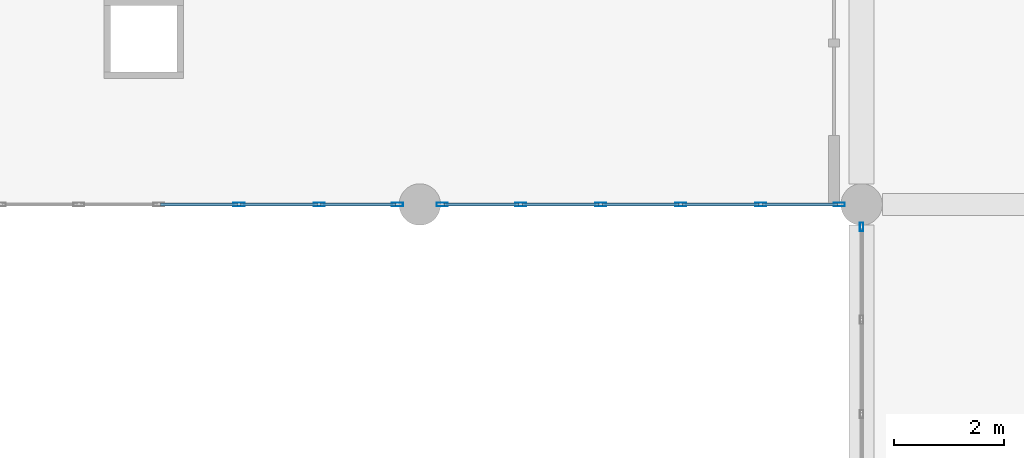
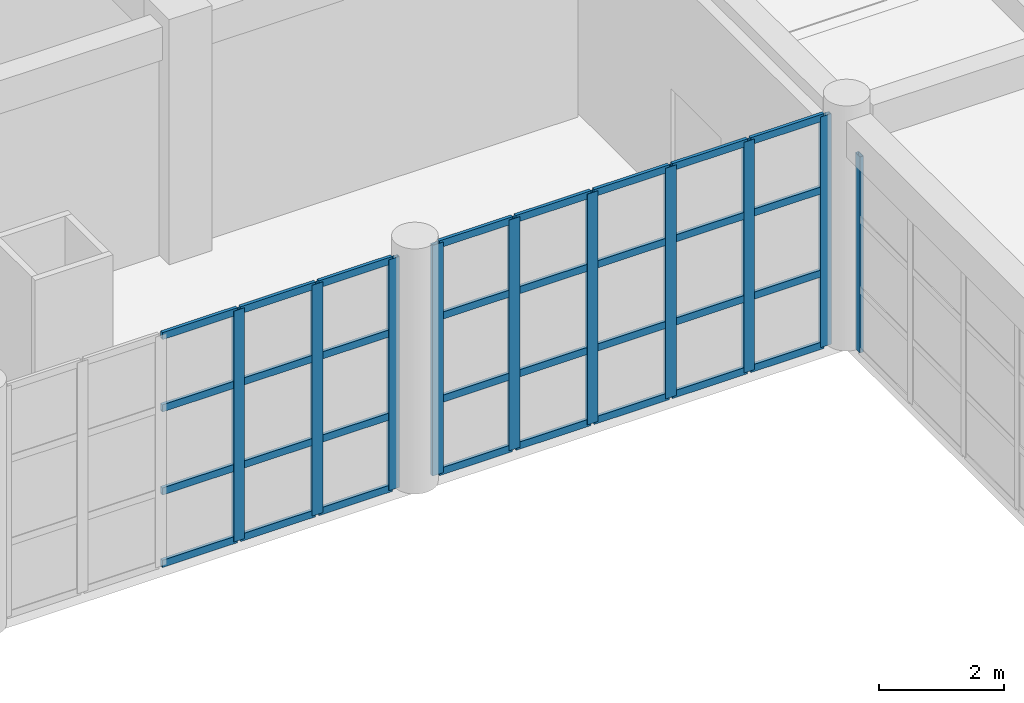
# One storey, part 36 of 101: 42 members, 3 elements without a shape of their own.
"""IFC4 building model written with IfcOpenShell, lengths in metres."""

from ifc_helpers import new_model, si_unit, direction, frame, origin, origin_2d, place, context, subcontext, project, spatial, hollow_rectangle, extrude, material, material_profile, profile_set, type_object, element, aggregate, save


model = new_model("IFC4")

# Units and contexts
model_context = context("Model", 3, precision=1e-05, world=origin(), true_north=direction((0.0, 1.0)))
body_context = subcontext(model_context, "Body", "Model", "MODEL_VIEW")
ifc_project = project(units=[si_unit("LENGTHUNIT", "METRE"), si_unit("AREAUNIT", "SQUARE_METRE"), si_unit("VOLUMEUNIT", "CUBIC_METRE"), si_unit("PLANEANGLEUNIT", "RADIAN"), si_unit("MASSUNIT", "GRAM", prefix="KILO")], contexts=[model_context])

# Site, building, storey
site_placement = place(None, origin())
site = spatial("IfcSite", under=ifc_project, at=site_placement, CompositionType="ELEMENT")
building_placement = place(site_placement, origin())
building = spatial("IfcBuilding", under=site, at=building_placement, Name="Zantavel Square City Hall", CompositionType="ELEMENT")
storey_placement = place(building_placement, frame((0.0, 0.0, 5.39990234375)))
storey = spatial("IfcBuildingStorey", under=building, at=storey_placement, Name="L02", CompositionType="ELEMENT", Elevation=5.39990234375)

# Curtain wall, members
ifc_material = material(Name="Anodised aluminium 6063-T6", Category="aluminium")
curtain_wall_type_1 = type_object("IfcCurtainWallType", Name="Curtain Wall CRT 7250x4520", PredefinedType="USERDEFINED", material=ifc_material)
curtain_wall_1_placement = place(storey_placement, origin())
curtain_wall_1 = element("IfcCurtainWall", 1, at=curtain_wall_1_placement, inside=storey, type_object=curtain_wall_type_1, Name="L02 Glazed Curtain Wall CW-L02-081", ObjectType="GLAZED CURTAIN WALL", PredefinedType="USERDEFINED")
ifc_material_profile_1 = material_profile(ifc_material, hollow_rectangle(XDim=0.070068359375, YDim=0.199951171875, WallThickness=0.00439453125, at=origin_2d()), Name="ALU 70x200x4.5")
ifc_profile_set_1 = profile_set([ifc_material_profile_1], Name="Anodised aluminium 6063-T6")
member_type_1 = type_object("IfcMemberType", Name="CW Heavy Hall Mullion ALU 70x200x4.5", PredefinedType="MULLION", material=ifc_profile_set_1)
member_1_placement = place(storey_placement, frame((47.594970703125, 68.39990234375, 0.0), z_axis=(0.0, 0.0, 1.0), x_axis=(0.0, -1.0, 0.0)))
member_1 = element("IfcMember", 2, at=member_1_placement, type_object=member_type_1, Name="CW-081 mullion 1", PredefinedType="MULLION", context=body_context, shape_type="SweptSolid", body=[
    extrude(hollow_rectangle(XDim=0.070068359375, YDim=0.199951171875, WallThickness=0.00439453125, at=origin_2d()), origin(), (0.0, 0.0, 1.0), 4.52001953125),
])
member_2_placement = place(storey_placement, frame((46.175048828125, 68.39990234375, 0.0), z_axis=(0.0, 0.0, 1.0), x_axis=(0.0, -1.0, 0.0)))
member_2 = element("IfcMember", 3, at=member_2_placement, type_object=member_type_1, Name="CW-081 mullion 2", PredefinedType="MULLION", context=body_context, shape_type="SweptSolid", body=[
    extrude(hollow_rectangle(XDim=0.070068359375, YDim=0.199951171875, WallThickness=0.00439453125, at=origin_2d()), origin(), (0.0, 0.0, 1.0), 4.52001953125),
])
member_3_placement = place(storey_placement, frame((44.72509765625, 68.39990234375, 0.0), z_axis=(0.0, 0.0, 1.0), x_axis=(0.0, -1.0, 0.0)))
member_3 = element("IfcMember", 4, at=member_3_placement, type_object=member_type_1, Name="CW-081 mullion 3", PredefinedType="MULLION", context=body_context, shape_type="SweptSolid", body=[
    extrude(hollow_rectangle(XDim=0.070068359375, YDim=0.199951171875, WallThickness=0.00439453125, at=origin_2d()), origin(), (0.0, 0.0, 1.0), 4.52001953125),
])
member_4_placement = place(storey_placement, frame((43.27490234375, 68.39990234375, 0.0), z_axis=(0.0, 0.0, 1.0), x_axis=(0.0, -1.0, 0.0)))
member_4 = element("IfcMember", 5, at=member_4_placement, type_object=member_type_1, Name="CW-081 mullion 4", PredefinedType="MULLION", context=body_context, shape_type="SweptSolid", body=[
    extrude(hollow_rectangle(XDim=0.070068359375, YDim=0.199951171875, WallThickness=0.00439453125, at=origin_2d()), origin(), (0.0, 0.0, 1.0), 4.52001953125),
])
member_5_placement = place(storey_placement, frame((41.824951171875, 68.39990234375, 0.0), z_axis=(0.0, 0.0, 1.0), x_axis=(0.0, -1.0, 0.0)))
member_5 = element("IfcMember", 6, at=member_5_placement, type_object=member_type_1, Name="CW-081 mullion 5", PredefinedType="MULLION", context=body_context, shape_type="SweptSolid", body=[
    extrude(hollow_rectangle(XDim=0.070068359375, YDim=0.199951171875, WallThickness=0.00439453125, at=origin_2d()), origin(), (0.0, 0.0, 1.0), 4.52001953125),
])
member_6_placement = place(storey_placement, frame((40.405029296875, 68.39990234375, 0.0), z_axis=(0.0, 0.0, 1.0), x_axis=(0.0, -1.0, 0.0)))
member_6 = element("IfcMember", 7, at=member_6_placement, type_object=member_type_1, Name="CW-081 mullion 6", PredefinedType="MULLION", context=body_context, shape_type="SweptSolid", body=[
    extrude(hollow_rectangle(XDim=0.070068359375, YDim=0.199951171875, WallThickness=0.00439453125, at=origin_2d()), origin(), (0.0, 0.0, 1.0), 4.52001953125),
])

curtain_wall_2_placement = place(storey_placement, origin())
curtain_wall_2 = element("IfcCurtainWall", 8, at=curtain_wall_2_placement, inside=storey, type_object=curtain_wall_type_1, Name="L02 Glazed Curtain Wall CW-L02-082", ObjectType="GLAZED CURTAIN WALL", PredefinedType="USERDEFINED")
member_7_placement = place(storey_placement, frame((39.594970703125, 68.39990234375, 0.0), z_axis=(0.0, 0.0, 1.0), x_axis=(0.0, -1.0, 0.0)))
member_7 = element("IfcMember", 9, at=member_7_placement, type_object=member_type_1, Name="CW-082 mullion 1", PredefinedType="MULLION", context=body_context, shape_type="SweptSolid", body=[
    extrude(hollow_rectangle(XDim=0.070068359375, YDim=0.199951171875, WallThickness=0.00439453125, at=origin_2d()), origin(), (0.0, 0.0, 1.0), 4.52001953125),
])
member_8_placement = place(storey_placement, frame((38.175048828125, 68.39990234375, 0.0), z_axis=(0.0, 0.0, 1.0), x_axis=(0.0, -1.0, 0.0)))
member_8 = element("IfcMember", 10, at=member_8_placement, type_object=member_type_1, Name="CW-082 mullion 2", PredefinedType="MULLION", context=body_context, shape_type="SweptSolid", body=[
    extrude(hollow_rectangle(XDim=0.070068359375, YDim=0.199951171875, WallThickness=0.00439453125, at=origin_2d()), origin(), (0.0, 0.0, 1.0), 4.52001953125),
])
member_9_placement = place(storey_placement, frame((36.72509765625, 68.39990234375, 0.0), z_axis=(0.0, 0.0, 1.0), x_axis=(0.0, -1.0, 0.0)))
member_9 = element("IfcMember", 11, at=member_9_placement, type_object=member_type_1, Name="CW-082 mullion 3", PredefinedType="MULLION", context=body_context, shape_type="SweptSolid", body=[
    extrude(hollow_rectangle(XDim=0.070068359375, YDim=0.199951171875, WallThickness=0.00439453125, at=origin_2d()), origin(), (0.0, 0.0, 1.0), 4.52001953125),
])

# Curtain wall, member
curtain_wall_type_2 = type_object("IfcCurtainWallType", Name="Curtain Wall CRT 6850x3840", PredefinedType="USERDEFINED", material=ifc_material)
curtain_wall_3_placement = place(storey_placement, origin())
curtain_wall_3 = element("IfcCurtainWall", 12, at=curtain_wall_3_placement, inside=storey, type_object=curtain_wall_type_2, Name="L02 Glazed Curtain Wall CW-L02-080", ObjectType="GLAZED CURTAIN WALL", PredefinedType="USERDEFINED")
ifc_material_profile_2 = material_profile(ifc_material, hollow_rectangle(XDim=0.06494140625, YDim=0.14990234375, WallThickness=0.00390625, at=origin_2d()), Name="ALU 65x150x4")
ifc_profile_set_2 = profile_set([ifc_material_profile_2], Name="Anodised aluminium 6063-T6")
member_type_2 = type_object("IfcMemberType", Name="CW Mullion ALU 65x150x4", PredefinedType="MULLION", material=ifc_profile_set_2)
member_10_placement = place(storey_placement, frame((48.0, 67.9951171875, 0.0), z_axis=(0.0, 0.0, 1.0), x_axis=(-1.0, 0.0, 0.0)))
member_10 = element("IfcMember", 13, at=member_10_placement, type_object=member_type_2, Name="CW-080 mullion 5", PredefinedType="MULLION", context=body_context, shape_type="SweptSolid", body=[
    extrude(hollow_rectangle(XDim=0.06494140625, YDim=0.14990234375, WallThickness=0.00390625, at=origin_2d()), origin(), (0.0, 0.0, 1.0), 3.840087890625),
])
aggregate(curtain_wall_3, [member_10])

# Member
ifc_material_profile_3 = material_profile(ifc_material, hollow_rectangle(XDim=0.06005859375, YDim=0.139892578125, WallThickness=0.00390625, at=origin_2d()), Name="ALU 60x140x4")
ifc_profile_set_3 = profile_set([ifc_material_profile_3], Name="Anodised aluminium 6063-T6")
member_type_3 = type_object("IfcMemberType", Name="CW Transom ALU 60x140x4", PredefinedType="USERDEFINED", material=ifc_profile_set_3)
member_11_placement = place(storey_placement, frame((47.56494140625, 68.39990234375, 0.030029296875), z_axis=(-1.0, 0.0, 0.0), x_axis=(0.0, -1.0, 0.0)))
member_11 = element("IfcMember", 14, at=member_11_placement, type_object=member_type_3, Name="CW-081 transom 1.1", ObjectType="TRANSOM", PredefinedType="USERDEFINED", context=body_context, shape_type="SweptSolid", body=[
    extrude(hollow_rectangle(XDim=0.06005859375, YDim=0.139892578125, WallThickness=0.00390625, at=origin_2d()), origin(), (0.0, 0.0, 1.0), 1.35986328125),
])

member_12_placement = place(storey_placement, frame((47.56494140625, 68.39990234375, 1.446044921875), z_axis=(-1.0, 0.0, 0.0), x_axis=(0.0, -1.0, 0.0)))
member_12 = element("IfcMember", 15, at=member_12_placement, type_object=member_type_3, Name="CW-081 transom 1.2", ObjectType="TRANSOM", PredefinedType="USERDEFINED", context=body_context, shape_type="SweptSolid", body=[
    extrude(hollow_rectangle(XDim=0.06005859375, YDim=0.139892578125, WallThickness=0.00390625, at=origin_2d()), origin(), (0.0, 0.0, 1.0), 1.35986328125),
])

member_13_placement = place(storey_placement, frame((47.56494140625, 68.39990234375, 3.07421875), z_axis=(-1.0, 0.0, 0.0), x_axis=(0.0, -1.0, 0.0)))
member_13 = element("IfcMember", 16, at=member_13_placement, type_object=member_type_3, Name="CW-081 transom 1.3", ObjectType="TRANSOM", PredefinedType="USERDEFINED", context=body_context, shape_type="SweptSolid", body=[
    extrude(hollow_rectangle(XDim=0.06005859375, YDim=0.139892578125, WallThickness=0.00390625, at=origin_2d()), origin(), (0.0, 0.0, 1.0), 1.35986328125),
])

member_14_placement = place(storey_placement, frame((47.56494140625, 68.39990234375, 4.489990234375), z_axis=(-1.0, 0.0, 0.0), x_axis=(0.0, -1.0, 0.0)))
member_14 = element("IfcMember", 17, at=member_14_placement, type_object=member_type_3, Name="CW-081 transom 1.4", ObjectType="TRANSOM", PredefinedType="USERDEFINED", context=body_context, shape_type="SweptSolid", body=[
    extrude(hollow_rectangle(XDim=0.06005859375, YDim=0.139892578125, WallThickness=0.00390625, at=origin_2d()), origin(), (0.0, 0.0, 1.0), 1.35986328125),
])

member_15_placement = place(storey_placement, frame((46.14501953125, 68.39990234375, 0.030029296875), z_axis=(-1.0, 0.0, 0.0), x_axis=(0.0, -1.0, 0.0)))
member_15 = element("IfcMember", 18, at=member_15_placement, type_object=member_type_3, Name="CW-081 transom 2.1", ObjectType="TRANSOM", PredefinedType="USERDEFINED", context=body_context, shape_type="SweptSolid", body=[
    extrude(hollow_rectangle(XDim=0.06005859375, YDim=0.139892578125, WallThickness=0.00390625, at=origin_2d()), origin(), (0.0, 0.0, 1.0), 1.39013671875),
])

member_16_placement = place(storey_placement, frame((46.14501953125, 68.39990234375, 1.446044921875), z_axis=(-1.0, 0.0, 0.0), x_axis=(0.0, -1.0, 0.0)))
member_16 = element("IfcMember", 19, at=member_16_placement, type_object=member_type_3, Name="CW-081 transom 2.2", ObjectType="TRANSOM", PredefinedType="USERDEFINED", context=body_context, shape_type="SweptSolid", body=[
    extrude(hollow_rectangle(XDim=0.06005859375, YDim=0.139892578125, WallThickness=0.00390625, at=origin_2d()), origin(), (0.0, 0.0, 1.0), 1.39013671875),
])

member_17_placement = place(storey_placement, frame((46.14501953125, 68.39990234375, 3.07421875), z_axis=(-1.0, 0.0, 0.0), x_axis=(0.0, -1.0, 0.0)))
member_17 = element("IfcMember", 20, at=member_17_placement, type_object=member_type_3, Name="CW-081 transom 2.3", ObjectType="TRANSOM", PredefinedType="USERDEFINED", context=body_context, shape_type="SweptSolid", body=[
    extrude(hollow_rectangle(XDim=0.06005859375, YDim=0.139892578125, WallThickness=0.00390625, at=origin_2d()), origin(), (0.0, 0.0, 1.0), 1.39013671875),
])

member_18_placement = place(storey_placement, frame((46.14501953125, 68.39990234375, 4.489990234375), z_axis=(-1.0, 0.0, 0.0), x_axis=(0.0, -1.0, 0.0)))
member_18 = element("IfcMember", 21, at=member_18_placement, type_object=member_type_3, Name="CW-081 transom 2.4", ObjectType="TRANSOM", PredefinedType="USERDEFINED", context=body_context, shape_type="SweptSolid", body=[
    extrude(hollow_rectangle(XDim=0.06005859375, YDim=0.139892578125, WallThickness=0.00390625, at=origin_2d()), origin(), (0.0, 0.0, 1.0), 1.39013671875),
])

member_19_placement = place(storey_placement, frame((44.695068359375, 68.39990234375, 0.030029296875), z_axis=(-1.0, 0.0, 0.0), x_axis=(0.0, -1.0, 0.0)))
member_19 = element("IfcMember", 22, at=member_19_placement, type_object=member_type_3, Name="CW-081 transom 3.1", ObjectType="TRANSOM", PredefinedType="USERDEFINED", context=body_context, shape_type="SweptSolid", body=[
    extrude(hollow_rectangle(XDim=0.06005859375, YDim=0.139892578125, WallThickness=0.00390625, at=origin_2d()), origin(), (0.0, 0.0, 1.0), 1.39013671875),
])

member_20_placement = place(storey_placement, frame((44.695068359375, 68.39990234375, 1.446044921875), z_axis=(-1.0, 0.0, 0.0), x_axis=(0.0, -1.0, 0.0)))
member_20 = element("IfcMember", 23, at=member_20_placement, type_object=member_type_3, Name="CW-081 transom 3.2", ObjectType="TRANSOM", PredefinedType="USERDEFINED", context=body_context, shape_type="SweptSolid", body=[
    extrude(hollow_rectangle(XDim=0.06005859375, YDim=0.139892578125, WallThickness=0.00390625, at=origin_2d()), origin(), (0.0, 0.0, 1.0), 1.39013671875),
])

member_21_placement = place(storey_placement, frame((44.695068359375, 68.39990234375, 3.07421875), z_axis=(-1.0, 0.0, 0.0), x_axis=(0.0, -1.0, 0.0)))
member_21 = element("IfcMember", 24, at=member_21_placement, type_object=member_type_3, Name="CW-081 transom 3.3", ObjectType="TRANSOM", PredefinedType="USERDEFINED", context=body_context, shape_type="SweptSolid", body=[
    extrude(hollow_rectangle(XDim=0.06005859375, YDim=0.139892578125, WallThickness=0.00390625, at=origin_2d()), origin(), (0.0, 0.0, 1.0), 1.39013671875),
])

member_22_placement = place(storey_placement, frame((44.695068359375, 68.39990234375, 4.489990234375), z_axis=(-1.0, 0.0, 0.0), x_axis=(0.0, -1.0, 0.0)))
member_22 = element("IfcMember", 25, at=member_22_placement, type_object=member_type_3, Name="CW-081 transom 3.4", ObjectType="TRANSOM", PredefinedType="USERDEFINED", context=body_context, shape_type="SweptSolid", body=[
    extrude(hollow_rectangle(XDim=0.06005859375, YDim=0.139892578125, WallThickness=0.00390625, at=origin_2d()), origin(), (0.0, 0.0, 1.0), 1.39013671875),
])

member_23_placement = place(storey_placement, frame((43.2451171875, 68.39990234375, 0.030029296875), z_axis=(-1.0, 0.0, 0.0), x_axis=(0.0, -1.0, 0.0)))
member_23 = element("IfcMember", 26, at=member_23_placement, type_object=member_type_3, Name="CW-081 transom 4.1", ObjectType="TRANSOM", PredefinedType="USERDEFINED", context=body_context, shape_type="SweptSolid", body=[
    extrude(hollow_rectangle(XDim=0.06005859375, YDim=0.139892578125, WallThickness=0.00390625, at=origin_2d()), origin(), (0.0, 0.0, 1.0), 1.39013671875),
])

member_24_placement = place(storey_placement, frame((43.2451171875, 68.39990234375, 1.446044921875), z_axis=(-1.0, 0.0, 0.0), x_axis=(0.0, -1.0, 0.0)))
member_24 = element("IfcMember", 27, at=member_24_placement, type_object=member_type_3, Name="CW-081 transom 4.2", ObjectType="TRANSOM", PredefinedType="USERDEFINED", context=body_context, shape_type="SweptSolid", body=[
    extrude(hollow_rectangle(XDim=0.06005859375, YDim=0.139892578125, WallThickness=0.00390625, at=origin_2d()), origin(), (0.0, 0.0, 1.0), 1.39013671875),
])

member_25_placement = place(storey_placement, frame((43.2451171875, 68.39990234375, 3.07421875), z_axis=(-1.0, 0.0, 0.0), x_axis=(0.0, -1.0, 0.0)))
member_25 = element("IfcMember", 28, at=member_25_placement, type_object=member_type_3, Name="CW-081 transom 4.3", ObjectType="TRANSOM", PredefinedType="USERDEFINED", context=body_context, shape_type="SweptSolid", body=[
    extrude(hollow_rectangle(XDim=0.06005859375, YDim=0.139892578125, WallThickness=0.00390625, at=origin_2d()), origin(), (0.0, 0.0, 1.0), 1.39013671875),
])

member_26_placement = place(storey_placement, frame((43.2451171875, 68.39990234375, 4.489990234375), z_axis=(-1.0, 0.0, 0.0), x_axis=(0.0, -1.0, 0.0)))
member_26 = element("IfcMember", 29, at=member_26_placement, type_object=member_type_3, Name="CW-081 transom 4.4", ObjectType="TRANSOM", PredefinedType="USERDEFINED", context=body_context, shape_type="SweptSolid", body=[
    extrude(hollow_rectangle(XDim=0.06005859375, YDim=0.139892578125, WallThickness=0.00390625, at=origin_2d()), origin(), (0.0, 0.0, 1.0), 1.39013671875),
])

member_27_placement = place(storey_placement, frame((41.794921875, 68.39990234375, 0.030029296875), z_axis=(-1.0, 0.0, 0.0), x_axis=(0.0, -1.0, 0.0)))
member_27 = element("IfcMember", 30, at=member_27_placement, type_object=member_type_3, Name="CW-081 transom 5.1", ObjectType="TRANSOM", PredefinedType="USERDEFINED", context=body_context, shape_type="SweptSolid", body=[
    extrude(hollow_rectangle(XDim=0.06005859375, YDim=0.139892578125, WallThickness=0.00390625, at=origin_2d()), origin(), (0.0, 0.0, 1.0), 1.35986328125),
])

member_28_placement = place(storey_placement, frame((41.794921875, 68.39990234375, 1.446044921875), z_axis=(-1.0, 0.0, 0.0), x_axis=(0.0, -1.0, 0.0)))
member_28 = element("IfcMember", 31, at=member_28_placement, type_object=member_type_3, Name="CW-081 transom 5.2", ObjectType="TRANSOM", PredefinedType="USERDEFINED", context=body_context, shape_type="SweptSolid", body=[
    extrude(hollow_rectangle(XDim=0.06005859375, YDim=0.139892578125, WallThickness=0.00390625, at=origin_2d()), origin(), (0.0, 0.0, 1.0), 1.35986328125),
])

member_29_placement = place(storey_placement, frame((41.794921875, 68.39990234375, 3.07421875), z_axis=(-1.0, 0.0, 0.0), x_axis=(0.0, -1.0, 0.0)))
member_29 = element("IfcMember", 32, at=member_29_placement, type_object=member_type_3, Name="CW-081 transom 5.3", ObjectType="TRANSOM", PredefinedType="USERDEFINED", context=body_context, shape_type="SweptSolid", body=[
    extrude(hollow_rectangle(XDim=0.06005859375, YDim=0.139892578125, WallThickness=0.00390625, at=origin_2d()), origin(), (0.0, 0.0, 1.0), 1.35986328125),
])

member_30_placement = place(storey_placement, frame((41.794921875, 68.39990234375, 4.489990234375), z_axis=(-1.0, 0.0, 0.0), x_axis=(0.0, -1.0, 0.0)))
member_30 = element("IfcMember", 33, at=member_30_placement, type_object=member_type_3, Name="CW-081 transom 5.4", ObjectType="TRANSOM", PredefinedType="USERDEFINED", context=body_context, shape_type="SweptSolid", body=[
    extrude(hollow_rectangle(XDim=0.06005859375, YDim=0.139892578125, WallThickness=0.00390625, at=origin_2d()), origin(), (0.0, 0.0, 1.0), 1.35986328125),
])

aggregate(curtain_wall_1, [member_1, member_2, member_3, member_4, member_5, member_6, member_11, member_12, member_13, member_14, member_15, member_16, member_17, member_18, member_19, member_20, member_21, member_22, member_23, member_24, member_25, member_26, member_27, member_28, member_29, member_30])

member_31_placement = place(storey_placement, frame((39.56494140625, 68.39990234375, 0.030029296875), z_axis=(-1.0, 0.0, 0.0), x_axis=(0.0, -1.0, 0.0)))
member_31 = element("IfcMember", 34, at=member_31_placement, type_object=member_type_3, Name="CW-082 transom 1.1", ObjectType="TRANSOM", PredefinedType="USERDEFINED", context=body_context, shape_type="SweptSolid", body=[
    extrude(hollow_rectangle(XDim=0.06005859375, YDim=0.139892578125, WallThickness=0.00390625, at=origin_2d()), origin(), (0.0, 0.0, 1.0), 1.35986328125),
])

member_32_placement = place(storey_placement, frame((39.56494140625, 68.39990234375, 1.446044921875), z_axis=(-1.0, 0.0, 0.0), x_axis=(0.0, -1.0, 0.0)))
member_32 = element("IfcMember", 35, at=member_32_placement, type_object=member_type_3, Name="CW-082 transom 1.2", ObjectType="TRANSOM", PredefinedType="USERDEFINED", context=body_context, shape_type="SweptSolid", body=[
    extrude(hollow_rectangle(XDim=0.06005859375, YDim=0.139892578125, WallThickness=0.00390625, at=origin_2d()), origin(), (0.0, 0.0, 1.0), 1.35986328125),
])

member_33_placement = place(storey_placement, frame((39.56494140625, 68.39990234375, 3.07421875), z_axis=(-1.0, 0.0, 0.0), x_axis=(0.0, -1.0, 0.0)))
member_33 = element("IfcMember", 36, at=member_33_placement, type_object=member_type_3, Name="CW-082 transom 1.3", ObjectType="TRANSOM", PredefinedType="USERDEFINED", context=body_context, shape_type="SweptSolid", body=[
    extrude(hollow_rectangle(XDim=0.06005859375, YDim=0.139892578125, WallThickness=0.00390625, at=origin_2d()), origin(), (0.0, 0.0, 1.0), 1.35986328125),
])

member_34_placement = place(storey_placement, frame((39.56494140625, 68.39990234375, 4.489990234375), z_axis=(-1.0, 0.0, 0.0), x_axis=(0.0, -1.0, 0.0)))
member_34 = element("IfcMember", 37, at=member_34_placement, type_object=member_type_3, Name="CW-082 transom 1.4", ObjectType="TRANSOM", PredefinedType="USERDEFINED", context=body_context, shape_type="SweptSolid", body=[
    extrude(hollow_rectangle(XDim=0.06005859375, YDim=0.139892578125, WallThickness=0.00390625, at=origin_2d()), origin(), (0.0, 0.0, 1.0), 1.35986328125),
])

member_35_placement = place(storey_placement, frame((38.14501953125, 68.39990234375, 0.030029296875), z_axis=(-1.0, 0.0, 0.0), x_axis=(0.0, -1.0, 0.0)))
member_35 = element("IfcMember", 38, at=member_35_placement, type_object=member_type_3, Name="CW-082 transom 2.1", ObjectType="TRANSOM", PredefinedType="USERDEFINED", context=body_context, shape_type="SweptSolid", body=[
    extrude(hollow_rectangle(XDim=0.06005859375, YDim=0.139892578125, WallThickness=0.00390625, at=origin_2d()), origin(), (0.0, 0.0, 1.0), 1.39013671875),
])

member_36_placement = place(storey_placement, frame((38.14501953125, 68.39990234375, 1.446044921875), z_axis=(-1.0, 0.0, 0.0), x_axis=(0.0, -1.0, 0.0)))
member_36 = element("IfcMember", 39, at=member_36_placement, type_object=member_type_3, Name="CW-082 transom 2.2", ObjectType="TRANSOM", PredefinedType="USERDEFINED", context=body_context, shape_type="SweptSolid", body=[
    extrude(hollow_rectangle(XDim=0.06005859375, YDim=0.139892578125, WallThickness=0.00390625, at=origin_2d()), origin(), (0.0, 0.0, 1.0), 1.39013671875),
])

member_37_placement = place(storey_placement, frame((38.14501953125, 68.39990234375, 3.07421875), z_axis=(-1.0, 0.0, 0.0), x_axis=(0.0, -1.0, 0.0)))
member_37 = element("IfcMember", 40, at=member_37_placement, type_object=member_type_3, Name="CW-082 transom 2.3", ObjectType="TRANSOM", PredefinedType="USERDEFINED", context=body_context, shape_type="SweptSolid", body=[
    extrude(hollow_rectangle(XDim=0.06005859375, YDim=0.139892578125, WallThickness=0.00390625, at=origin_2d()), origin(), (0.0, 0.0, 1.0), 1.39013671875),
])

member_38_placement = place(storey_placement, frame((38.14501953125, 68.39990234375, 4.489990234375), z_axis=(-1.0, 0.0, 0.0), x_axis=(0.0, -1.0, 0.0)))
member_38 = element("IfcMember", 41, at=member_38_placement, type_object=member_type_3, Name="CW-082 transom 2.4", ObjectType="TRANSOM", PredefinedType="USERDEFINED", context=body_context, shape_type="SweptSolid", body=[
    extrude(hollow_rectangle(XDim=0.06005859375, YDim=0.139892578125, WallThickness=0.00390625, at=origin_2d()), origin(), (0.0, 0.0, 1.0), 1.39013671875),
])

member_39_placement = place(storey_placement, frame((36.695068359375, 68.39990234375, 0.030029296875), z_axis=(-1.0, 0.0, 0.0), x_axis=(0.0, -1.0, 0.0)))
member_39 = element("IfcMember", 42, at=member_39_placement, type_object=member_type_3, Name="CW-082 transom 3.1", ObjectType="TRANSOM", PredefinedType="USERDEFINED", context=body_context, shape_type="SweptSolid", body=[
    extrude(hollow_rectangle(XDim=0.06005859375, YDim=0.139892578125, WallThickness=0.00390625, at=origin_2d()), origin(), (0.0, 0.0, 1.0), 1.39013671875),
])

member_40_placement = place(storey_placement, frame((36.695068359375, 68.39990234375, 1.446044921875), z_axis=(-1.0, 0.0, 0.0), x_axis=(0.0, -1.0, 0.0)))
member_40 = element("IfcMember", 43, at=member_40_placement, type_object=member_type_3, Name="CW-082 transom 3.2", ObjectType="TRANSOM", PredefinedType="USERDEFINED", context=body_context, shape_type="SweptSolid", body=[
    extrude(hollow_rectangle(XDim=0.06005859375, YDim=0.139892578125, WallThickness=0.00390625, at=origin_2d()), origin(), (0.0, 0.0, 1.0), 1.39013671875),
])

member_41_placement = place(storey_placement, frame((36.695068359375, 68.39990234375, 3.07421875), z_axis=(-1.0, 0.0, 0.0), x_axis=(0.0, -1.0, 0.0)))
member_41 = element("IfcMember", 44, at=member_41_placement, type_object=member_type_3, Name="CW-082 transom 3.3", ObjectType="TRANSOM", PredefinedType="USERDEFINED", context=body_context, shape_type="SweptSolid", body=[
    extrude(hollow_rectangle(XDim=0.06005859375, YDim=0.139892578125, WallThickness=0.00390625, at=origin_2d()), origin(), (0.0, 0.0, 1.0), 1.39013671875),
])

member_42_placement = place(storey_placement, frame((36.695068359375, 68.39990234375, 4.489990234375), z_axis=(-1.0, 0.0, 0.0), x_axis=(0.0, -1.0, 0.0)))
member_42 = element("IfcMember", 45, at=member_42_placement, type_object=member_type_3, Name="CW-082 transom 3.4", ObjectType="TRANSOM", PredefinedType="USERDEFINED", context=body_context, shape_type="SweptSolid", body=[
    extrude(hollow_rectangle(XDim=0.06005859375, YDim=0.139892578125, WallThickness=0.00390625, at=origin_2d()), origin(), (0.0, 0.0, 1.0), 1.39013671875),
])

aggregate(curtain_wall_2, [member_7, member_8, member_9, member_31, member_32, member_33, member_34, member_35, member_36, member_37, member_38, member_39, member_40, member_41, member_42])

save(model, "model.ifc")
